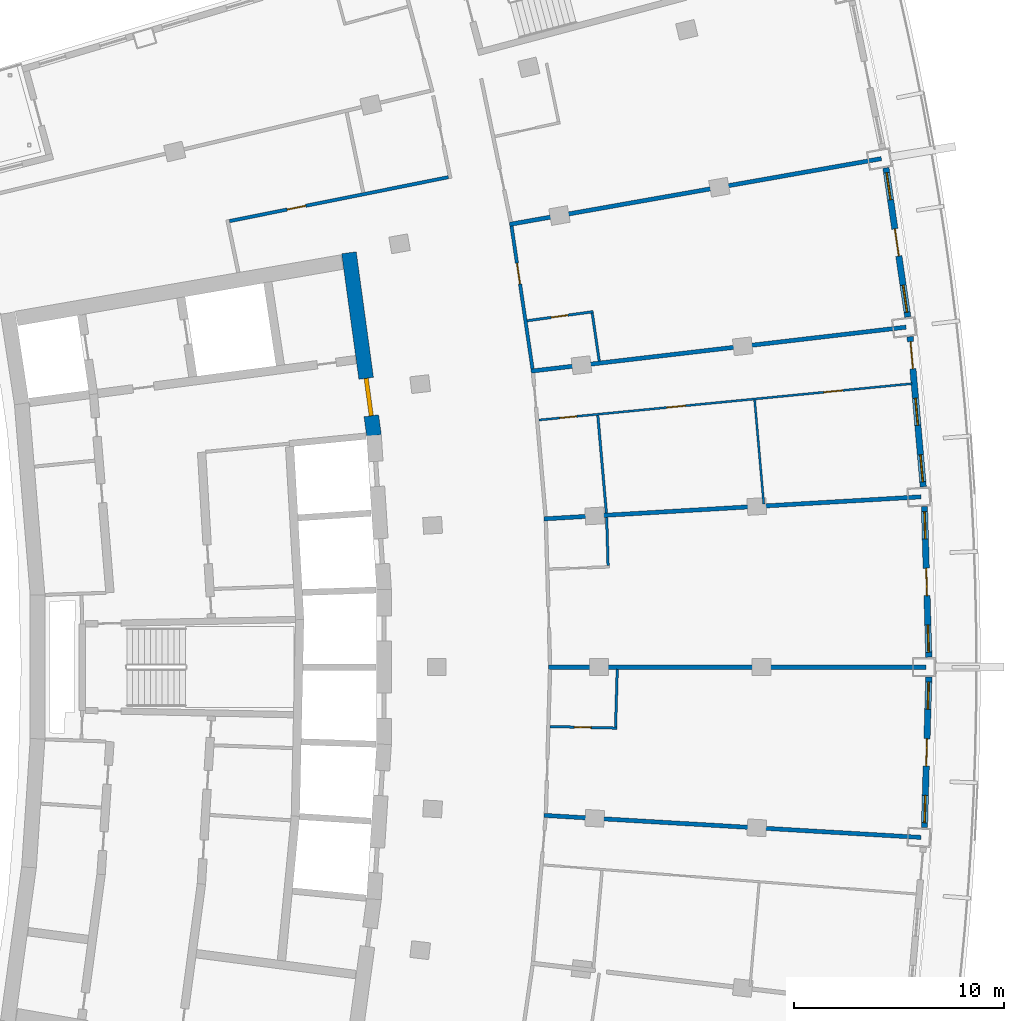
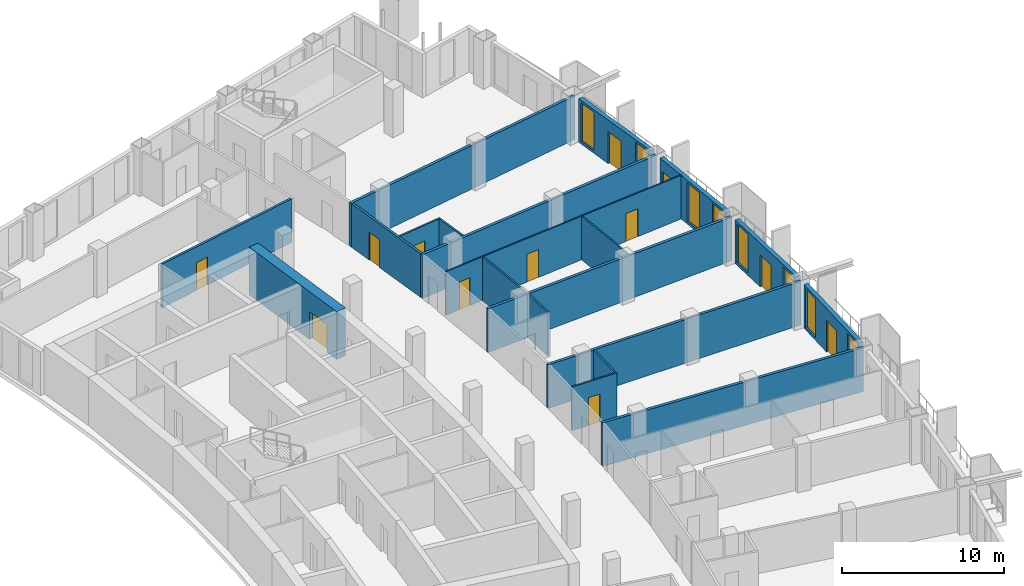
# One storey, part 15 of 20: 20 walls, 12 doors, 8 windows, 20 openings.
"""IFC4 building model written with IfcOpenShell, lengths in metres."""

from ifc_helpers import new_model, si_unit, direction, frame, frame_2d, origin, place, context, subcontext, project, spatial, rectangle, extrude, material, layer, layer_set, type_object, element, fill, save


model = new_model("IFC4")

# Units and contexts
model_context = context("Model", 3, precision=1e-05, world=origin(), true_north=direction((0.0, 1.0)))
body_context = subcontext(model_context, "Body", "Model", "MODEL_VIEW")
ifc_project = project(units=[si_unit("LENGTHUNIT", "METRE"), si_unit("AREAUNIT", "SQUARE_METRE"), si_unit("VOLUMEUNIT", "CUBIC_METRE"), si_unit("PLANEANGLEUNIT", "RADIAN"), si_unit("MASSUNIT", "GRAM", prefix="KILO")], contexts=[model_context])

# Site, building, storey
site_placement = place(None, origin())
site = spatial("IfcSite", under=ifc_project, at=site_placement, CompositionType="ELEMENT")
building_placement = place(site_placement, origin())
building = spatial("IfcBuilding", under=site, at=building_placement, Name="Alderwake Tower", CompositionType="ELEMENT")
storey_placement = place(building_placement, frame((0.0, 0.0, 178.39990234375)))
storey = spatial("IfcBuildingStorey", under=building, at=storey_placement, Name="L44", CompositionType="ELEMENT", Elevation=178.39990234375)

# Wall, opening, door
ifc_material_1 = material(Name="Concrete C70/85", Category="concrete")
ifc_layer_1 = layer(ifc_material_1, 0.699951171875)
ifc_layer_set_1 = layer_set([ifc_layer_1], Name="Core wall outer 700 C70-85")
wall_type_1 = type_object("IfcWallType", Name="Core wall outer 700 C70-85", PredefinedType="SHEAR", material=ifc_layer_set_1)
wall_1_placement = place(storey_placement, frame((31.618896484375, 80.735107421875, 0.0), z_axis=(0.0, 0.0, 1.0), x_axis=(0.135835706655, -0.99073137671, 0.0)))
wall_1 = element("IfcWall", 1, at=wall_1_placement, inside=storey, type_object=wall_type_1, Name="Core wall CW.009", PredefinedType="SHEAR", context=body_context, shape_type="SweptSolid", body=[
    extrude(rectangle(XDim=8.790771484375, YDim=0.699951171875, at=frame_2d((4.3955078125, 0.0))), origin(), (0.0, 0.0, 1.0), 3.60009765625),
])
opening_1_placement = place(wall_1_placement, frame((6.035888671875, 0.0, 0.0)))
opening_1 = element("IfcOpeningElement", 2, at=opening_1_placement, cuts=wall_1, Name="Opening C001", PredefinedType="OPENING", context=body_context, shape_type="SweptSolid", body=[
    extrude(rectangle(XDim=1.800048828125, YDim=2.10009765625, at=frame_2d((0.89990234375, 1.050048828125))), frame((0.0, 0.35986328125, 0.0), z_axis=(0.0, -1.0, 0.0), x_axis=(1.0, 0.0, 0.0)), (0.0, 0.0, 1.0), 0.719970703125),
])
ifc_material_2 = material(Name="Steel-framed fire door leaves", Category="steel")
door_type_1 = type_object("IfcDoorType", Name="Core double door 1800 fire-rated", OperationType="DOUBLE_DOOR_SINGLE_SWING", PredefinedType="DOOR", material=ifc_material_2)
door_1_placement = place(opening_1_placement, origin())
door_1 = element("IfcDoor", 3, at=door_1_placement, inside=storey, type_object=door_type_1, Name="Lobby double door", OperationType="DOUBLE_DOOR_SINGLE_SWING", OverallHeight=2.10009765625, OverallWidth=1.800048828125, PredefinedType="DOOR", context=body_context, shape_type="SweptSolid", body=[
    extrude(rectangle(XDim=1.800048828125, YDim=2.10009765625, at=frame_2d((0.89990234375, 1.050048828125))), frame((0.0, 0.10009765625, 0.0), z_axis=(0.0, -1.0, 0.0), x_axis=(1.0, 0.0, 0.0)), (0.0, 0.0, 1.0), 0.199951171875),
])
fill(opening_1, door_1)

ifc_material_3 = material(Name="Gypsum board on metal studs, rated")
ifc_layer_2 = layer(ifc_material_3, 0.159912109375)
ifc_layer_set_2 = layer_set([ifc_layer_2], Name="Corridor wall 160")
wall_type_2 = type_object("IfcWallType", Name="Corridor wall 160", PredefinedType="PARTITIONING", material=ifc_layer_set_2)
wall_2_placement = place(storey_placement, frame((25.926513671875, 82.24267578125, 0.0), z_axis=(0.0, 0.0, 1.0), x_axis=(0.98046310274, 0.196703086316, 0.0)))
wall_2 = element("IfcWall", 4, at=wall_2_placement, inside=storey, type_object=wall_type_2, Name="WL/L44/W24", PredefinedType="PARTITIONING", context=body_context, shape_type="SweptSolid", body=[
    extrude(rectangle(XDim=10.637939453125, YDim=0.159912109375, at=frame_2d((5.31884765625, 0.0))), origin(), (0.0, 0.0, 1.0), 3.280029296875),
])
opening_2_placement = place(wall_2_placement, frame((2.80908203125, 0.0, 0.0)))
opening_2 = element("IfcOpeningElement", 5, at=opening_2_placement, cuts=wall_2, Name="Opening R12-SBN1", PredefinedType="OPENING", context=body_context, shape_type="SweptSolid", body=[
    extrude(rectangle(XDim=0.89990234375, YDim=2.10009765625, at=frame_2d((0.449951171875, 1.050048828125))), frame((0.0, 0.08984375, 0.0), z_axis=(0.0, -1.0, 0.0), x_axis=(1.0, 0.0, 0.0)), (0.0, 0.0, 1.0), 0.179931640625),
])
ifc_material_4 = material(Name="Painted timber leaf", Category="wood")
door_type_2 = type_object("IfcDoorType", Name="Room door 900", OperationType="SINGLE_SWING_LEFT", PredefinedType="DOOR", material=ifc_material_4)
door_2_placement = place(opening_2_placement, origin())
door_2 = element("IfcDoor", 6, at=door_2_placement, inside=storey, type_object=door_type_2, Name="DR/L44/SBN1", OperationType="SINGLE_SWING_LEFT", OverallHeight=2.10009765625, OverallWidth=0.89990234375, PredefinedType="DOOR", context=body_context, shape_type="SweptSolid", body=[
    extrude(rectangle(XDim=0.89990234375, YDim=2.10009765625, at=frame_2d((0.449951171875, 1.050048828125))), frame((0.0, 0.02490234375, 0.0), z_axis=(0.0, -1.0, 0.0), x_axis=(1.0, 0.0, 0.0)), (0.0, 0.0, 1.0), 0.050048828125),
])
fill(opening_2, door_2)

wall_3_placement = place(storey_placement, frame((39.362548828125, 82.001953125, 0.0), z_axis=(0.0, 0.0, 1.0), x_axis=(0.145565626222, -0.98934859805, 0.0)))
wall_3 = element("IfcWall", 7, at=wall_3_placement, inside=storey, type_object=wall_type_2, Name="WL/L44/W29", PredefinedType="PARTITIONING", context=body_context, shape_type="SweptSolid", body=[
    extrude(rectangle(XDim=6.8681640625, YDim=0.159912109375, at=frame_2d((3.43408203125, 0.0))), origin(), (0.0, 0.0, 1.0), 3.280029296875),
])
opening_3_placement = place(wall_3_placement, frame((1.782470703125, 0.0, 0.0)))
opening_3 = element("IfcOpeningElement", 8, at=opening_3_placement, cuts=wall_3, Name="Opening R12-U08.1", PredefinedType="OPENING", context=body_context, shape_type="SweptSolid", body=[
    extrude(rectangle(XDim=1.0, YDim=2.10009765625, at=frame_2d((0.5, 1.050048828125))), frame((0.0, 0.08984375, 0.0), z_axis=(0.0, -1.0, 0.0), x_axis=(1.0, 0.0, 0.0)), (0.0, 0.0, 1.0), 0.179931640625),
])
ifc_material_5 = material(Name="Solid timber leaf in steel frame", Category="steel")
door_type_3 = type_object("IfcDoorType", Name="Flat entrance door 1000 fire-rated", OperationType="SINGLE_SWING_LEFT", PredefinedType="DOOR", material=ifc_material_5)
door_3_placement = place(opening_3_placement, origin())
door_3 = element("IfcDoor", 9, at=door_3_placement, inside=storey, type_object=door_type_3, Name="DR/L44/U08.1", OperationType="SINGLE_SWING_LEFT", OverallHeight=2.10009765625, OverallWidth=1.0, PredefinedType="DOOR", context=body_context, shape_type="SweptSolid", body=[
    extrude(rectangle(XDim=1.0, YDim=2.10009765625, at=frame_2d((0.5, 1.050048828125))), frame((0.0, 0.02490234375, 0.0), z_axis=(0.0, -1.0, 0.0), x_axis=(1.0, 0.0, 0.0)), (0.0, 0.0, 1.0), 0.050048828125),
])
fill(opening_3, door_3)

# Wall, openings, door, windows
ifc_material_6 = material(Name="Precast concrete C50/60 spandrel panel", Category="concrete")
ifc_layer_3 = layer(ifc_material_6, 0.300048828125)
ifc_layer_set_3 = layer_set([ifc_layer_3], Name="External wall EW1 Precast concrete C50/60 spandrel")
wall_type_3 = type_object("IfcWallType", Name="External wall EW1 Precast concrete C50/60 spandrel", PredefinedType="SOLIDWALL", material=ifc_layer_set_3)
wall_4_placement = place(storey_placement, frame((59.027099609375, 53.354736328125, 0.0), z_axis=(0.0, 0.0, 1.0), x_axis=(0.029125088946, 0.999575774613, 0.0)))
wall_4 = element("IfcWall", 10, at=wall_4_placement, inside=storey, type_object=wall_type_3, Name="External wall 15", PredefinedType="SOLIDWALL", context=body_context, shape_type="SweptSolid", body=[
    extrude(rectangle(XDim=7.17529296875, YDim=0.300048828125, at=frame_2d((3.587646484375, 0.0))), origin(), (0.0, 0.0, 1.0), 3.280029296875),
])
opening_4_placement = place(wall_4_placement, frame((0.2353515625, 0.0, 0.199951171875)))
opening_4 = element("IfcOpeningElement", 11, at=opening_4_placement, cuts=wall_4, Name="Opening W1", PredefinedType="OPENING", context=body_context, shape_type="SweptSolid", body=[
    extrude(rectangle(XDim=1.300048828125, YDim=2.89990234375, at=frame_2d((0.64990234375, 1.449951171875))), frame((0.0, 0.159912109375, 0.0), z_axis=(0.0, -1.0, 0.0), x_axis=(1.0, 0.0, 0.0)), (0.0, 0.0, 1.0), 0.320068359375),
])
opening_5_placement = place(wall_4_placement, frame((2.937744140625, 0.0, 0.0)))
opening_5 = element("IfcOpeningElement", 12, at=opening_5_placement, cuts=wall_4, Name="Opening D04", PredefinedType="OPENING", context=body_context, shape_type="SweptSolid", body=[
    extrude(rectangle(XDim=1.300048828125, YDim=2.39990234375, at=frame_2d((0.64990234375, 1.199951171875))), frame((0.0, 0.159912109375, 0.0), z_axis=(0.0, -1.0, 0.0), x_axis=(1.0, 0.0, 0.0)), (0.0, 0.0, 1.0), 0.320068359375),
])
opening_6_placement = place(wall_4_placement, frame((5.64013671875, 0.0, 0.199951171875)))
opening_6 = element("IfcOpeningElement", 13, at=opening_6_placement, cuts=wall_4, Name="Opening W1", PredefinedType="OPENING", context=body_context, shape_type="SweptSolid", body=[
    extrude(rectangle(XDim=1.300048828125, YDim=2.89990234375, at=frame_2d((0.64990234375, 1.449951171875))), frame((0.0, 0.159912109375, 0.0), z_axis=(0.0, -1.0, 0.0), x_axis=(1.0, 0.0, 0.0)), (0.0, 0.0, 1.0), 0.320068359375),
])
ifc_material_7 = material(Name="Bronze tinted glass in aluminium frame", Category="aluminium")
door_type_4 = type_object("IfcDoorType", Name="Balcony door BD sliding", OperationType="SLIDING_TO_LEFT", PredefinedType="DOOR", material=ifc_material_7)
door_4_placement = place(opening_5_placement, origin())
door_4 = element("IfcDoor", 14, at=door_4_placement, inside=storey, type_object=door_type_4, Name="Door D04", OperationType="SLIDING_TO_LEFT", OverallHeight=2.39990234375, OverallWidth=1.300048828125, PredefinedType="DOOR", context=body_context, shape_type="SweptSolid", body=[
    extrude(rectangle(XDim=1.300048828125, YDim=2.39990234375, at=frame_2d((0.64990234375, 1.199951171875))), frame((0.0, 0.02490234375, 0.0), z_axis=(0.0, -1.0, 0.0), x_axis=(1.0, 0.0, 0.0)), (0.0, 0.0, 1.0), 0.050048828125),
])
fill(opening_5, door_4)
ifc_material_8 = material(Name="Bronze tinted glass in aluminium frame", Category="aluminium")
window_type = type_object("IfcWindowType", Name="Window W1 tall fixed and vent", PartitioningType="DOUBLE_PANEL_VERTICAL", PredefinedType="WINDOW", material=ifc_material_8)
window_1_placement = place(opening_4_placement, origin())
window_1 = element("IfcWindow", 15, at=window_1_placement, inside=storey, type_object=window_type, Name="Window W1 tall fixed and vent", OverallHeight=2.89990234375, OverallWidth=1.300048828125, PartitioningType="DOUBLE_PANEL_VERTICAL", PredefinedType="WINDOW", context=body_context, shape_type="SweptSolid", body=[
    extrude(rectangle(XDim=1.300048828125, YDim=2.89990234375, at=frame_2d((0.64990234375, 1.449951171875))), frame((0.0, 0.030029296875, 0.0), z_axis=(0.0, -1.0, 0.0), x_axis=(1.0, 0.0, 0.0)), (0.0, 0.0, 1.0), 0.06005859375),
])
fill(opening_4, window_1)
window_2_placement = place(opening_6_placement, origin())
window_2 = element("IfcWindow", 16, at=window_2_placement, inside=storey, type_object=window_type, Name="Window W1 tall fixed and vent", OverallHeight=2.89990234375, OverallWidth=1.300048828125, PartitioningType="DOUBLE_PANEL_VERTICAL", PredefinedType="WINDOW", context=body_context, shape_type="SweptSolid", body=[
    extrude(rectangle(XDim=1.300048828125, YDim=2.89990234375, at=frame_2d((0.64990234375, 1.449951171875))), frame((0.0, 0.030029296875, 0.0), z_axis=(0.0, -1.0, 0.0), x_axis=(1.0, 0.0, 0.0)), (0.0, 0.0, 1.0), 0.06005859375),
])
fill(opening_6, window_2)

wall_5_placement = place(storey_placement, frame((59.236083984375, 61.472900390625, 0.0), z_axis=(0.0, 0.0, 1.0), x_axis=(-0.029125088946, 0.999575774613, 0.0)))
wall_5 = element("IfcWall", 17, at=wall_5_placement, inside=storey, type_object=wall_type_3, Name="External wall 16", PredefinedType="SOLIDWALL", context=body_context, shape_type="SweptSolid", body=[
    extrude(rectangle(XDim=7.17529296875, YDim=0.300048828125, at=frame_2d((3.587646484375, 0.0))), origin(), (0.0, 0.0, 1.0), 3.280029296875),
])
opening_7_placement = place(wall_5_placement, frame((0.2353515625, 0.0, 0.199951171875)))
opening_7 = element("IfcOpeningElement", 18, at=opening_7_placement, cuts=wall_5, Name="Opening W1", PredefinedType="OPENING", context=body_context, shape_type="SweptSolid", body=[
    extrude(rectangle(XDim=1.300048828125, YDim=2.89990234375, at=frame_2d((0.64990234375, 1.449951171875))), frame((0.0, 0.159912109375, 0.0), z_axis=(0.0, -1.0, 0.0), x_axis=(1.0, 0.0, 0.0)), (0.0, 0.0, 1.0), 0.320068359375),
])
opening_8_placement = place(wall_5_placement, frame((2.937744140625, 0.0, 0.0)))
opening_8 = element("IfcOpeningElement", 19, at=opening_8_placement, cuts=wall_5, Name="Opening D05", PredefinedType="OPENING", context=body_context, shape_type="SweptSolid", body=[
    extrude(rectangle(XDim=1.300048828125, YDim=2.39990234375, at=frame_2d((0.64990234375, 1.199951171875))), frame((0.0, 0.159912109375, 0.0), z_axis=(0.0, -1.0, 0.0), x_axis=(1.0, 0.0, 0.0)), (0.0, 0.0, 1.0), 0.320068359375),
])
opening_9_placement = place(wall_5_placement, frame((5.64013671875, 0.0, 0.199951171875)))
opening_9 = element("IfcOpeningElement", 20, at=opening_9_placement, cuts=wall_5, Name="Opening W1", PredefinedType="OPENING", context=body_context, shape_type="SweptSolid", body=[
    extrude(rectangle(XDim=1.300048828125, YDim=2.89990234375, at=frame_2d((0.64990234375, 1.449951171875))), frame((0.0, 0.159912109375, 0.0), z_axis=(0.0, -1.0, 0.0), x_axis=(1.0, 0.0, 0.0)), (0.0, 0.0, 1.0), 0.320068359375),
])
door_5_placement = place(opening_8_placement, origin())
door_5 = element("IfcDoor", 21, at=door_5_placement, inside=storey, type_object=door_type_4, Name="Door D05", OperationType="SLIDING_TO_LEFT", OverallHeight=2.39990234375, OverallWidth=1.300048828125, PredefinedType="DOOR", context=body_context, shape_type="SweptSolid", body=[
    extrude(rectangle(XDim=1.300048828125, YDim=2.39990234375, at=frame_2d((0.64990234375, 1.199951171875))), frame((0.0, 0.02490234375, 0.0), z_axis=(0.0, -1.0, 0.0), x_axis=(1.0, 0.0, 0.0)), (0.0, 0.0, 1.0), 0.050048828125),
])
fill(opening_8, door_5)
window_3_placement = place(opening_7_placement, origin())
window_3 = element("IfcWindow", 22, at=window_3_placement, inside=storey, type_object=window_type, Name="Window W1 tall fixed and vent", OverallHeight=2.89990234375, OverallWidth=1.300048828125, PartitioningType="DOUBLE_PANEL_VERTICAL", PredefinedType="WINDOW", context=body_context, shape_type="SweptSolid", body=[
    extrude(rectangle(XDim=1.300048828125, YDim=2.89990234375, at=frame_2d((0.64990234375, 1.449951171875))), frame((0.0, 0.030029296875, 0.0), z_axis=(0.0, -1.0, 0.0), x_axis=(1.0, 0.0, 0.0)), (0.0, 0.0, 1.0), 0.06005859375),
])
fill(opening_7, window_3)
window_4_placement = place(opening_9_placement, origin())
window_4 = element("IfcWindow", 23, at=window_4_placement, inside=storey, type_object=window_type, Name="Window W1 tall fixed and vent", OverallHeight=2.89990234375, OverallWidth=1.300048828125, PartitioningType="DOUBLE_PANEL_VERTICAL", PredefinedType="WINDOW", context=body_context, shape_type="SweptSolid", body=[
    extrude(rectangle(XDim=1.300048828125, YDim=2.89990234375, at=frame_2d((0.64990234375, 1.449951171875))), frame((0.0, 0.030029296875, 0.0), z_axis=(0.0, -1.0, 0.0), x_axis=(1.0, 0.0, 0.0)), (0.0, 0.0, 1.0), 0.06005859375),
])
fill(opening_9, window_4)

wall_6_placement = place(storey_placement, frame((58.9716796875, 69.589599609375, 0.0), z_axis=(0.0, 0.0, 1.0), x_axis=(-0.087372493124, 0.99617571113, 0.0)))
wall_6 = element("IfcWall", 24, at=wall_6_placement, inside=storey, type_object=wall_type_3, Name="External wall 17", PredefinedType="SOLIDWALL", context=body_context, shape_type="SweptSolid", body=[
    extrude(rectangle(XDim=7.175537109375, YDim=0.300048828125, at=frame_2d((3.587890625, 0.0))), origin(), (0.0, 0.0, 1.0), 3.280029296875),
])
opening_10_placement = place(wall_6_placement, frame((0.2353515625, 0.0, 0.199951171875)))
opening_10 = element("IfcOpeningElement", 25, at=opening_10_placement, cuts=wall_6, Name="Opening W1", PredefinedType="OPENING", context=body_context, shape_type="SweptSolid", body=[
    extrude(rectangle(XDim=1.300048828125, YDim=2.89990234375, at=frame_2d((0.64990234375, 1.449951171875))), frame((0.0, 0.159912109375, 0.0), z_axis=(0.0, -1.0, 0.0), x_axis=(1.0, 0.0, 0.0)), (0.0, 0.0, 1.0), 0.320068359375),
])
opening_11_placement = place(wall_6_placement, frame((2.937744140625, 0.0, 0.199951171875)))
opening_11 = element("IfcOpeningElement", 26, at=opening_11_placement, cuts=wall_6, Name="Opening W1", PredefinedType="OPENING", context=body_context, shape_type="SweptSolid", body=[
    extrude(rectangle(XDim=1.300048828125, YDim=2.89990234375, at=frame_2d((0.64990234375, 1.449951171875))), frame((0.0, 0.159912109375, 0.0), z_axis=(0.0, -1.0, 0.0), x_axis=(1.0, 0.0, 0.0)), (0.0, 0.0, 1.0), 0.320068359375),
])
opening_12_placement = place(wall_6_placement, frame((5.64013671875, 0.0, 0.0)))
opening_12 = element("IfcOpeningElement", 27, at=opening_12_placement, cuts=wall_6, Name="Opening D06", PredefinedType="OPENING", context=body_context, shape_type="SweptSolid", body=[
    extrude(rectangle(XDim=1.300048828125, YDim=2.39990234375, at=frame_2d((0.64990234375, 1.199951171875))), frame((0.0, 0.159912109375, 0.0), z_axis=(0.0, -1.0, 0.0), x_axis=(1.0, 0.0, 0.0)), (0.0, 0.0, 1.0), 0.320068359375),
])
door_6_placement = place(opening_12_placement, origin())
door_6 = element("IfcDoor", 28, at=door_6_placement, inside=storey, type_object=door_type_4, Name="Door D06", OperationType="SLIDING_TO_LEFT", OverallHeight=2.39990234375, OverallWidth=1.300048828125, PredefinedType="DOOR", context=body_context, shape_type="SweptSolid", body=[
    extrude(rectangle(XDim=1.300048828125, YDim=2.39990234375, at=frame_2d((0.64990234375, 1.199951171875))), frame((0.0, 0.02490234375, 0.0), z_axis=(0.0, -1.0, 0.0), x_axis=(1.0, 0.0, 0.0)), (0.0, 0.0, 1.0), 0.050048828125),
])
fill(opening_12, door_6)
window_5_placement = place(opening_10_placement, origin())
window_5 = element("IfcWindow", 29, at=window_5_placement, inside=storey, type_object=window_type, Name="Window W1 tall fixed and vent", OverallHeight=2.89990234375, OverallWidth=1.300048828125, PartitioningType="DOUBLE_PANEL_VERTICAL", PredefinedType="WINDOW", context=body_context, shape_type="SweptSolid", body=[
    extrude(rectangle(XDim=1.300048828125, YDim=2.89990234375, at=frame_2d((0.64990234375, 1.449951171875))), frame((0.0, 0.030029296875, 0.0), z_axis=(0.0, -1.0, 0.0), x_axis=(1.0, 0.0, 0.0)), (0.0, 0.0, 1.0), 0.06005859375),
])
fill(opening_10, window_5)
window_6_placement = place(opening_11_placement, origin())
window_6 = element("IfcWindow", 30, at=window_6_placement, inside=storey, type_object=window_type, Name="Window W1 tall fixed and vent", OverallHeight=2.89990234375, OverallWidth=1.300048828125, PartitioningType="DOUBLE_PANEL_VERTICAL", PredefinedType="WINDOW", context=body_context, shape_type="SweptSolid", body=[
    extrude(rectangle(XDim=1.300048828125, YDim=2.89990234375, at=frame_2d((0.64990234375, 1.449951171875))), frame((0.0, 0.030029296875, 0.0), z_axis=(0.0, -1.0, 0.0), x_axis=(1.0, 0.0, 0.0)), (0.0, 0.0, 1.0), 0.06005859375),
])
fill(opening_11, window_6)

wall_7_placement = place(storey_placement, frame((58.234619140625, 77.677001953125, 0.0), z_axis=(0.0, 0.0, 1.0), x_axis=(-0.145316694365, 0.989385192096, 0.0)))
wall_7 = element("IfcWall", 31, at=wall_7_placement, inside=storey, type_object=wall_type_3, Name="External wall 18", PredefinedType="SOLIDWALL", context=body_context, shape_type="SweptSolid", body=[
    extrude(rectangle(XDim=7.175537109375, YDim=0.300048828125, at=frame_2d((3.587890625, 0.0))), origin(), (0.0, 0.0, 1.0), 3.280029296875),
])
opening_13_placement = place(wall_7_placement, frame((0.2353515625, 0.0, 0.199951171875)))
opening_13 = element("IfcOpeningElement", 32, at=opening_13_placement, cuts=wall_7, Name="Opening W1", PredefinedType="OPENING", context=body_context, shape_type="SweptSolid", body=[
    extrude(rectangle(XDim=1.300048828125, YDim=2.89990234375, at=frame_2d((0.64990234375, 1.449951171875))), frame((0.0, 0.159912109375, 0.0), z_axis=(0.0, -1.0, 0.0), x_axis=(1.0, 0.0, 0.0)), (0.0, 0.0, 1.0), 0.320068359375),
])
opening_14_placement = place(wall_7_placement, frame((2.937744140625, 0.0, 0.0)))
opening_14 = element("IfcOpeningElement", 33, at=opening_14_placement, cuts=wall_7, Name="Opening D07", PredefinedType="OPENING", context=body_context, shape_type="SweptSolid", body=[
    extrude(rectangle(XDim=1.300048828125, YDim=2.39990234375, at=frame_2d((0.64990234375, 1.199951171875))), frame((0.0, 0.159912109375, 0.0), z_axis=(0.0, -1.0, 0.0), x_axis=(1.0, 0.0, 0.0)), (0.0, 0.0, 1.0), 0.320068359375),
])
opening_15_placement = place(wall_7_placement, frame((5.64013671875, 0.0, 0.199951171875)))
opening_15 = element("IfcOpeningElement", 34, at=opening_15_placement, cuts=wall_7, Name="Opening W1", PredefinedType="OPENING", context=body_context, shape_type="SweptSolid", body=[
    extrude(rectangle(XDim=1.300048828125, YDim=2.89990234375, at=frame_2d((0.64990234375, 1.449951171875))), frame((0.0, 0.159912109375, 0.0), z_axis=(0.0, -1.0, 0.0), x_axis=(1.0, 0.0, 0.0)), (0.0, 0.0, 1.0), 0.320068359375),
])
door_7_placement = place(opening_14_placement, origin())
door_7 = element("IfcDoor", 35, at=door_7_placement, inside=storey, type_object=door_type_4, Name="Door D07", OperationType="SLIDING_TO_LEFT", OverallHeight=2.39990234375, OverallWidth=1.300048828125, PredefinedType="DOOR", context=body_context, shape_type="SweptSolid", body=[
    extrude(rectangle(XDim=1.300048828125, YDim=2.39990234375, at=frame_2d((0.64990234375, 1.199951171875))), frame((0.0, 0.02490234375, 0.0), z_axis=(0.0, -1.0, 0.0), x_axis=(1.0, 0.0, 0.0)), (0.0, 0.0, 1.0), 0.050048828125),
])
fill(opening_14, door_7)
window_7_placement = place(opening_13_placement, origin())
window_7 = element("IfcWindow", 36, at=window_7_placement, inside=storey, type_object=window_type, Name="Window W1 tall fixed and vent", OverallHeight=2.89990234375, OverallWidth=1.300048828125, PartitioningType="DOUBLE_PANEL_VERTICAL", PredefinedType="WINDOW", context=body_context, shape_type="SweptSolid", body=[
    extrude(rectangle(XDim=1.300048828125, YDim=2.89990234375, at=frame_2d((0.64990234375, 1.449951171875))), frame((0.0, 0.030029296875, 0.0), z_axis=(0.0, -1.0, 0.0), x_axis=(1.0, 0.0, 0.0)), (0.0, 0.0, 1.0), 0.06005859375),
])
fill(opening_13, window_7)
window_8_placement = place(opening_15_placement, origin())
window_8 = element("IfcWindow", 37, at=window_8_placement, inside=storey, type_object=window_type, Name="Window W1 tall fixed and vent", OverallHeight=2.89990234375, OverallWidth=1.300048828125, PartitioningType="DOUBLE_PANEL_VERTICAL", PredefinedType="WINDOW", context=body_context, shape_type="SweptSolid", body=[
    extrude(rectangle(XDim=1.300048828125, YDim=2.89990234375, at=frame_2d((0.64990234375, 1.449951171875))), frame((0.0, 0.030029296875, 0.0), z_axis=(0.0, -1.0, 0.0), x_axis=(1.0, 0.0, 0.0)), (0.0, 0.0, 1.0), 0.06005859375),
])
fill(opening_15, window_8)

# Walls
ifc_material_9 = material(Name="Dense block masonry wall", Category="masonry")
ifc_layer_4 = layer(ifc_material_9, 0.199951171875)
ifc_layer_set_4 = layer_set([ifc_layer_4], Name="Party wall 200")
wall_type_4 = type_object("IfcWallType", Name="Party wall 200", PredefinedType="SOLIDWALL", material=ifc_layer_set_4)
wall_8_placement = place(storey_placement, frame((56.97607421875, 85.218017578125, 0.0), z_axis=(0.0, 0.0, 1.0), x_axis=(-0.984725138861, -0.174116055824, 0.0)))
element("IfcWall", 38, at=wall_8_placement, inside=storey, type_object=wall_type_4, Name="WL/L44/W03", PredefinedType="SOLIDWALL", context=body_context, shape_type="SweptSolid", body=[
    extrude(rectangle(XDim=17.9814453125, YDim=0.199951171875, at=frame_2d((8.99072265625, 0.0))), origin(), (0.0, 0.0, 1.0), 3.280029296875),
])
wall_9_placement = place(storey_placement, frame((58.155029296875, 77.193115234375, 0.0), z_axis=(0.0, 0.0, 1.0), x_axis=(-0.993191787965, -0.116490653354, 0.0)))
element("IfcWall", 39, at=wall_9_placement, inside=storey, type_object=wall_type_4, Name="WL/L44/W05", PredefinedType="SOLIDWALL", context=body_context, shape_type="SweptSolid", body=[
    extrude(rectangle(XDim=17.979736328125, YDim=0.199951171875, at=frame_2d((8.98974609375, 0.0))), origin(), (0.0, 0.0, 1.0), 3.280029296875),
])
for number, where, z_axis, x_axis, name in (
    (40, (58.863037109375, 52.889892578125, 0.0), (0.0, 0.0, 1.0), (-0.998296916023, 0.058337530453, 0.0), "WL/L44/W06"),
    (41, (58.863037109375, 69.111083984375, 0.0), (0.0, 0.0, 1.0), (-0.998296916023, -0.058337530453, 0.0), "WL/L44/W07"),
):
    element("IfcWall", number, at=place(storey_placement, frame(where, z_axis=z_axis, x_axis=x_axis)), inside=storey, type_object=wall_type_4, Name=name, PredefinedType="SOLIDWALL", context=body_context, shape_type="SweptSolid", body=[
        extrude(rectangle(XDim=17.978515625, YDim=0.199951171875, at=frame_2d((8.9892578125, 0.0))), origin(), (0.0, 0.0, 1.0), 3.280029296875),
    ])
wall_10_placement = place(storey_placement, frame((59.10009765625, 60.9990234375, 0.0), z_axis=(0.0, 0.0, 1.0), x_axis=(-1.0, 0.0, 0.0)))
element("IfcWall", 42, at=wall_10_placement, inside=storey, type_object=wall_type_4, Name="WL/L44/W08", PredefinedType="SOLIDWALL", context=body_context, shape_type="SweptSolid", body=[
    extrude(rectangle(XDim=17.981201171875, YDim=0.199951171875, at=frame_2d((8.99072265625, 0.0))), origin(), (0.0, 0.0, 1.0), 3.280029296875),
])

# Wall, openings, doors
ifc_material_10 = material(Name="Gypsum board on metal studs")
ifc_layer_5 = layer(ifc_material_10, 0.10009765625)
ifc_layer_set_5 = layer_set([ifc_layer_5], Name="Unit partition 100")
wall_type_5 = type_object("IfcWallType", Name="Unit partition 100", PredefinedType="PARTITIONING", material=ifc_layer_set_5)
wall_11_placement = place(storey_placement, frame((58.43994140625, 74.501953125, 0.0), z_axis=(0.0, 0.0, 1.0), x_axis=(-0.995287543156, -0.096967553536, 0.0)))
wall_11 = element("IfcWall", 43, at=wall_11_placement, inside=storey, type_object=wall_type_5, Name="WL/L44/W52", PredefinedType="PARTITIONING", context=body_context, shape_type="SweptSolid", body=[
    extrude(rectangle(XDim=17.863525390625, YDim=0.10009765625, at=frame_2d((8.931640625, 0.0))), origin(), (0.0, 0.0, 1.0), 3.280029296875),
])
opening_16_placement = place(wall_11_placement, frame((10.84130859375, 0.0, 0.0)))
opening_16 = element("IfcOpeningElement", 44, at=opening_16_placement, cuts=wall_11, Name="Opening R12-U07.1", PredefinedType="OPENING", context=body_context, shape_type="SweptSolid", body=[
    extrude(rectangle(XDim=0.89990234375, YDim=2.10009765625, at=frame_2d((0.449951171875, 1.050048828125))), frame((0.0, 0.06005859375, 0.0), z_axis=(0.0, -1.0, 0.0), x_axis=(1.0, 0.0, 0.0)), (0.0, 0.0, 1.0), 0.1201171875),
])
opening_17_placement = place(wall_11_placement, frame((16.0537109375, 0.0, 0.0)))
opening_17 = element("IfcOpeningElement", 45, at=opening_17_placement, cuts=wall_11, Name="Opening R12-U07.3", PredefinedType="OPENING", context=body_context, shape_type="SweptSolid", body=[
    extrude(rectangle(XDim=0.800048828125, YDim=2.10009765625, at=frame_2d((0.39990234375, 1.050048828125))), frame((0.0, 0.06005859375, 0.0), z_axis=(0.0, -1.0, 0.0), x_axis=(1.0, 0.0, 0.0)), (0.0, 0.0, 1.0), 0.1201171875),
])
opening_18_placement = place(wall_11_placement, frame((3.319580078125, 0.0, 0.0)))
opening_18 = element("IfcOpeningElement", 46, at=opening_18_placement, cuts=wall_11, Name="Opening R12-U07.4", PredefinedType="OPENING", context=body_context, shape_type="SweptSolid", body=[
    extrude(rectangle(XDim=0.89990234375, YDim=2.10009765625, at=frame_2d((0.449951171875, 1.050048828125))), frame((0.0, 0.06005859375, 0.0), z_axis=(0.0, -1.0, 0.0), x_axis=(1.0, 0.0, 0.0)), (0.0, 0.0, 1.0), 0.1201171875),
])
ifc_material_11 = material(Name="Painted timber leaf", Category="wood")
door_type_5 = type_object("IfcDoorType", Name="Bathroom door 800", OperationType="SINGLE_SWING_LEFT", PredefinedType="DOOR", material=ifc_material_11)
door_8_placement = place(opening_17_placement, origin())
door_8 = element("IfcDoor", 47, at=door_8_placement, inside=storey, type_object=door_type_5, Name="DR/L44/U07.3", OperationType="SINGLE_SWING_LEFT", OverallHeight=2.10009765625, OverallWidth=0.800048828125, PredefinedType="DOOR", context=body_context, shape_type="SweptSolid", body=[
    extrude(rectangle(XDim=0.800048828125, YDim=2.10009765625, at=frame_2d((0.39990234375, 1.050048828125))), frame((0.0, 0.02490234375, 0.0), z_axis=(0.0, -1.0, 0.0), x_axis=(1.0, 0.0, 0.0)), (0.0, 0.0, 1.0), 0.050048828125),
])
fill(opening_17, door_8)
door_9_placement = place(opening_16_placement, origin())
door_9 = element("IfcDoor", 48, at=door_9_placement, inside=storey, type_object=door_type_2, Name="DR/L44/U07.1", OperationType="SINGLE_SWING_LEFT", OverallHeight=2.10009765625, OverallWidth=0.89990234375, PredefinedType="DOOR", context=body_context, shape_type="SweptSolid", body=[
    extrude(rectangle(XDim=0.89990234375, YDim=2.10009765625, at=frame_2d((0.449951171875, 1.050048828125))), frame((0.0, 0.02490234375, 0.0), z_axis=(0.0, -1.0, 0.0), x_axis=(1.0, 0.0, 0.0)), (0.0, 0.0, 1.0), 0.050048828125),
])
fill(opening_16, door_9)
door_10_placement = place(opening_18_placement, origin())
door_10 = element("IfcDoor", 49, at=door_10_placement, inside=storey, type_object=door_type_2, Name="DR/L44/U07.4", OperationType="SINGLE_SWING_LEFT", OverallHeight=2.10009765625, OverallWidth=0.89990234375, PredefinedType="DOOR", context=body_context, shape_type="SweptSolid", body=[
    extrude(rectangle(XDim=0.89990234375, YDim=2.10009765625, at=frame_2d((0.449951171875, 1.050048828125))), frame((0.0, 0.02490234375, 0.0), z_axis=(0.0, -1.0, 0.0), x_axis=(1.0, 0.0, 0.0)), (0.0, 0.0, 1.0), 0.050048828125),
])
fill(opening_18, door_10)

# Wall
wall_12_placement = place(storey_placement, frame((51.375244140625, 68.772705078125, 0.0), z_axis=(0.0, 0.0, 1.0), x_axis=(-0.087352937881, 0.996177426086, 0.0)))
element("IfcWall", 50, at=wall_12_placement, inside=storey, type_object=wall_type_5, Name="WL/L44/W55", PredefinedType="PARTITIONING", context=body_context, shape_type="SweptSolid", body=[
    extrude(rectangle(XDim=4.966552734375, YDim=0.10009765625, at=frame_2d((2.4833984375, 0.0))), origin(), (0.0, 0.0, 1.0), 3.280029296875),
])

# Wall, opening, door
ifc_material_12 = material(Name="Moisture resistant gypsum board on metal studs")
ifc_layer_6 = layer(ifc_material_12, 0.1201171875)
ifc_layer_set_6 = layer_set([ifc_layer_6], Name="Wet room partition 120")
wall_type_6 = type_object("IfcWallType", Name="Wet room partition 120", PredefinedType="PARTITIONING", material=ifc_layer_set_6)
wall_13_placement = place(storey_placement, frame((41.197998046875, 58.171142578125, 0.0), z_axis=(0.0, 0.0, 1.0), x_axis=(0.999725609485, -0.02342446884, 0.0)))
wall_13 = element("IfcWall", 51, at=wall_13_placement, inside=storey, type_object=wall_type_6, Name="WL/L44/W43", PredefinedType="PARTITIONING", context=body_context, shape_type="SweptSolid", body=[
    extrude(rectangle(XDim=3.178955078125, YDim=0.1201171875, at=frame_2d((1.58935546875, 0.0))), origin(), (0.0, 0.0, 1.0), 3.280029296875),
])
opening_19_placement = place(wall_13_placement, frame((1.1591796875, 0.0, 0.0)))
opening_19 = element("IfcOpeningElement", 52, at=opening_19_placement, cuts=wall_13, Name="Opening R12-U05.2", PredefinedType="OPENING", context=body_context, shape_type="SweptSolid", body=[
    extrude(rectangle(XDim=0.800048828125, YDim=2.10009765625, at=frame_2d((0.39990234375, 1.050048828125))), frame((0.0, 0.070068359375, 0.0), z_axis=(0.0, -1.0, 0.0), x_axis=(1.0, 0.0, 0.0)), (0.0, 0.0, 1.0), 0.14013671875),
])
door_11_placement = place(opening_19_placement, origin())
door_11 = element("IfcDoor", 53, at=door_11_placement, inside=storey, type_object=door_type_5, Name="DR/L44/U05.2", OperationType="SINGLE_SWING_LEFT", OverallHeight=2.10009765625, OverallWidth=0.800048828125, PredefinedType="DOOR", context=body_context, shape_type="SweptSolid", body=[
    extrude(rectangle(XDim=0.800048828125, YDim=2.10009765625, at=frame_2d((0.39990234375, 1.050048828125))), frame((0.0, 0.02490234375, 0.0), z_axis=(0.0, -1.0, 0.0), x_axis=(1.0, 0.0, 0.0)), (0.0, 0.0, 1.0), 0.050048828125),
])
fill(opening_19, door_11)

wall_14_placement = place(storey_placement, frame((43.25634765625, 77.93017578125, 0.0), z_axis=(0.0, 0.0, 1.0), x_axis=(-0.990717255946, -0.135938658114, 0.0)))
wall_14 = element("IfcWall", 54, at=wall_14_placement, inside=storey, type_object=wall_type_6, Name="WL/L44/W46", PredefinedType="PARTITIONING", context=body_context, shape_type="SweptSolid", body=[
    extrude(rectangle(XDim=3.1806640625, YDim=0.1201171875, at=frame_2d((1.59033203125, 0.0))), origin(), (0.0, 0.0, 1.0), 3.280029296875),
])
opening_20_placement = place(wall_14_placement, frame((1.220947265625, 0.0, 0.0)))
opening_20 = element("IfcOpeningElement", 55, at=opening_20_placement, cuts=wall_14, Name="Opening R12-U08.2", PredefinedType="OPENING", context=body_context, shape_type="SweptSolid", body=[
    extrude(rectangle(XDim=0.800048828125, YDim=2.10009765625, at=frame_2d((0.39990234375, 1.050048828125))), frame((0.0, 0.070068359375, 0.0), z_axis=(0.0, -1.0, 0.0), x_axis=(1.0, 0.0, 0.0)), (0.0, 0.0, 1.0), 0.14013671875),
])
door_12_placement = place(opening_20_placement, origin())
door_12 = element("IfcDoor", 56, at=door_12_placement, inside=storey, type_object=door_type_5, Name="DR/L44/U08.2", OperationType="SINGLE_SWING_LEFT", OverallHeight=2.10009765625, OverallWidth=0.800048828125, PredefinedType="DOOR", context=body_context, shape_type="SweptSolid", body=[
    extrude(rectangle(XDim=0.800048828125, YDim=2.10009765625, at=frame_2d((0.39990234375, 1.050048828125))), frame((0.0, 0.02490234375, 0.0), z_axis=(0.0, -1.0, 0.0), x_axis=(1.0, 0.0, 0.0)), (0.0, 0.0, 1.0), 0.050048828125),
])
fill(opening_20, door_12)

# Walls
wall_15_placement = place(storey_placement, frame((43.53955078125, 75.5791015625, 0.0), z_axis=(0.0, 0.0, 1.0), x_axis=(-0.144619815424, 0.989487296021, 0.0)))
element("IfcWall", 57, at=wall_15_placement, inside=storey, type_object=wall_type_6, Name="WL/L44/W48", PredefinedType="PARTITIONING", context=body_context, shape_type="SweptSolid", body=[
    extrude(rectangle(XDim=2.3076171875, YDim=0.1201171875, at=frame_2d((1.15380859375, 0.0))), origin(), (0.0, 0.0, 1.0), 3.280029296875),
])
wall_16_placement = place(storey_placement, frame((43.881103515625, 68.334716796875, 0.0), z_axis=(0.0, 0.0, 1.0), x_axis=(-0.087639255618, 0.996152277955, 0.0)))
element("IfcWall", 58, at=wall_16_placement, inside=storey, type_object=wall_type_6, Name="WL/L44/W49", PredefinedType="PARTITIONING", context=body_context, shape_type="SweptSolid", body=[
    extrude(rectangle(XDim=4.674560546875, YDim=0.1201171875, at=frame_2d((2.33740234375, 0.0))), origin(), (0.0, 0.0, 1.0), 3.280029296875),
])
wall_17_placement = place(storey_placement, frame((43.960205078125, 65.8349609375, 0.0), z_axis=(0.0, 0.0, 1.0), x_axis=(-0.029283689085, 0.999571140817, 0.0)))
element("IfcWall", 59, at=wall_17_placement, inside=storey, type_object=wall_type_6, Name="WL/L44/W50", PredefinedType="PARTITIONING", context=body_context, shape_type="SweptSolid", body=[
    extrude(rectangle(XDim=2.301025390625, YDim=0.1201171875, at=frame_2d((1.150390625, 0.0))), origin(), (0.0, 0.0, 1.0), 3.280029296875),
])
wall_18_placement = place(storey_placement, frame((44.317626953125, 58.157958984375, 0.0), z_axis=(0.0, 0.0, 1.0), x_axis=(0.029024908923, 0.999578688579, 0.0)))
element("IfcWall", 60, at=wall_18_placement, inside=storey, type_object=wall_type_6, Name="WL/L44/W51", PredefinedType="PARTITIONING", context=body_context, shape_type="SweptSolid", body=[
    extrude(rectangle(XDim=2.7421875, YDim=0.1201171875, at=frame_2d((1.37109375, 0.0))), origin(), (0.0, 0.0, 1.0), 3.280029296875),
])

save(model, "model.ifc")
